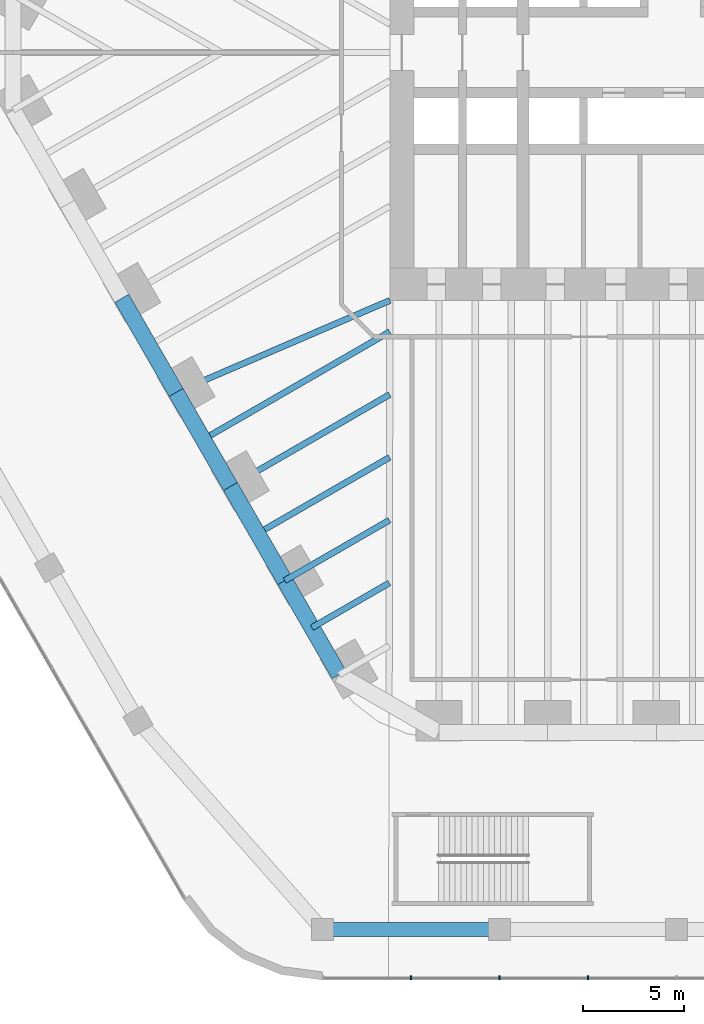
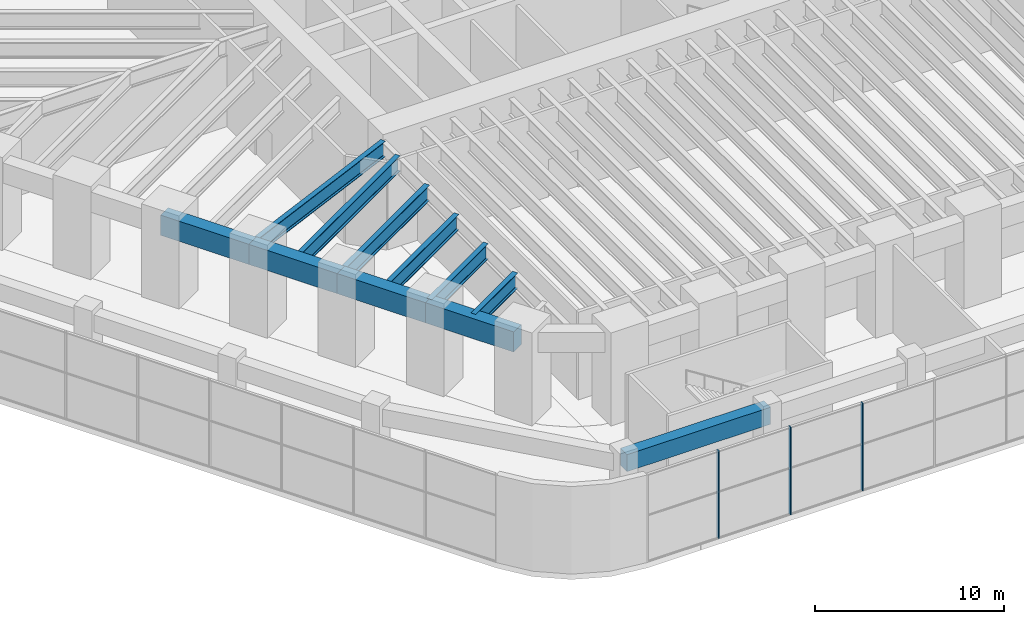
# One storey, part 4 of 31: 11 beams, 3 members, 1 element without a shape of its own.
"""IFC4 building model written with IfcOpenShell, lengths in metres."""

import ifcopenshell
import ifcopenshell.guid

model = None  # the IFC model being written
_history = None  # IfcOwnerHistory: only IFC2X3 demands one
_inside = {}  # id of a spatial element -> (the spatial element, [elements in it])
_under = {}  # id of a project, library or spatial element -> (it, [spatial elements below it])
_declared = {}  # id of a project -> (the project, [libraries it declares])
_typed = {}  # id of a type object -> (the type object, [elements of that type])
_made_of = {}  # id of a material, layer set ... -> (it, [elements and type objects made of it])


def new_model(schema):
    """Start an empty IFC model of exactly this schema.

    Asked for "IFC4X3", IfcOpenShell would pick the latest addendum, in which some entities
    have other attributes; the version numbers below select the first issue.
    IFC2X3 requires an IfcOwnerHistory on every rooted entity: one is made here for all.
    """
    global model, _history
    if schema == "IFC4X3":
        model = ifcopenshell.file(schema_version=(4, 3, 0, 0))
    else:
        model = ifcopenshell.file(schema=schema)
    _inside.clear()
    _under.clear()
    _declared.clear()
    _typed.clear()
    _made_of.clear()
    _history = None
    if model.schema == "IFC2X3":
        org = make("IfcOrganization", Name="unknown")
        user = make(
            "IfcPersonAndOrganization",
            ThePerson=make("IfcPerson", FamilyName="unknown"),
            TheOrganization=org,
        )
        app = make(
            "IfcApplication",
            ApplicationDeveloper=org,
            Version="unknown",
            ApplicationFullName="unknown",
            ApplicationIdentifier="unknown",
        )
        _history = make(
            "IfcOwnerHistory",
            OwningUser=user,
            OwningApplication=app,
            ChangeAction="ADDED",
            CreationDate=0,
        )
    return model


def make(cls, **values):
    """One entity of the class cls with the attributes given. An attribute that is None is left unset."""
    return model.create_entity(
        cls, **{name: value for name, value in values.items() if value is not None}
    )


def rooted(cls, **values):
    """An entity with a GlobalId (a new one), such as an element, a storey or a relation."""
    return make(cls, GlobalId=ifcopenshell.guid.new(), OwnerHistory=_history, **values)


def si_unit(unit_type, name, prefix=None):
    """IfcSIUnit, for example si_unit("LENGTHUNIT", "METRE", prefix="MILLI")."""
    return make("IfcSIUnit", UnitType=unit_type, Prefix=prefix, Name=name)


def assignment(units):
    """IfcUnitAssignment: the units of a project."""
    return None if units is None else make("IfcUnitAssignment", Units=units)


def point(xyz):
    """IfcCartesianPoint."""
    return None if xyz is None else make("IfcCartesianPoint", Coordinates=xyz)


def direction(xyz):
    """IfcDirection."""
    return None if xyz is None else make("IfcDirection", DirectionRatios=xyz)


def frame(location, z_axis=None, x_axis=None):
    """IfcAxis2Placement3D, a coordinate frame: its origin and axes. An axis left out is left unset."""
    return make(
        "IfcAxis2Placement3D",
        Location=point(location),
        Axis=direction(z_axis),
        RefDirection=direction(x_axis),
    )


def frame_2d(location, x_axis=None):
    """IfcAxis2Placement2D, a coordinate frame in the plane: its origin and x axis."""
    return make(
        "IfcAxis2Placement2D", Location=point(location), RefDirection=direction(x_axis)
    )


def origin():
    """The frame at (0, 0, 0) with its axes left unset."""
    return frame((0.0, 0.0, 0.0))


def origin_2d():
    """The frame at (0, 0) in the plane with its x axis left unset."""
    return frame_2d((0.0, 0.0))


def place(relative_to, where):
    """IfcLocalPlacement: puts the frame where relative to a parent placement (None: the world)."""
    return make(
        "IfcLocalPlacement", PlacementRelTo=relative_to, RelativePlacement=where
    )


def context(
    kind, dimensions, precision=None, world=None, true_north=None, identifier=None
):
    """IfcGeometricRepresentationContext, for example the 3D "Model" context."""
    return make(
        "IfcGeometricRepresentationContext",
        ContextIdentifier=identifier,
        ContextType=kind,
        CoordinateSpaceDimension=dimensions,
        Precision=precision,
        WorldCoordinateSystem=world,
        TrueNorth=true_north,
    )


def subcontext(parent, identifier, kind, view, scale=None):
    """IfcGeometricRepresentationSubContext, for example "Body" below "Model"."""
    return make(
        "IfcGeometricRepresentationSubContext",
        ContextIdentifier=identifier,
        ContextType=kind,
        ParentContext=parent,
        TargetScale=scale,
        TargetView=view,
    )


def project(units=None, contexts=None):
    """IfcProject with its units and contexts."""
    return rooted(
        "IfcProject",
        Name="project",
        RepresentationContexts=contexts,
        UnitsInContext=assignment(units),
    )


def spatial(cls, under=None, at=None, **own):
    """A site, building, storey or space (cls), placed at a placement, below another one or the project."""
    s = rooted(cls, ObjectPlacement=at, **own)
    if under is not None:
        _under.setdefault(under.id(), (under, []))[1].append(s)
    return s


def profile(cls, at=None, kind="AREA", **sizes):
    """A parametric profile (cls). Its sizes go by their IFC names, for example OverallWidth=200.0."""
    return make(cls, ProfileType=kind, Position=at, **sizes)


def rectangle(**sizes):
    """IfcRectangleProfileDef."""
    return profile("IfcRectangleProfileDef", **sizes)


def i_section(**sizes):
    """IfcIShapeProfileDef."""
    return profile("IfcIShapeProfileDef", **sizes)


def extrude(swept, where, along, depth):
    """IfcExtrudedAreaSolid: the profile swept, set in the frame where, extruded along a direction by depth."""
    return make(
        "IfcExtrudedAreaSolid",
        SweptArea=swept,
        Position=where,
        ExtrudedDirection=direction(along),
        Depth=depth,
    )


def shape(context_of_items, identifier, shape_type, items):
    """IfcShapeRepresentation: the items that make up one representation, for example the "Body"."""
    return make(
        "IfcShapeRepresentation",
        ContextOfItems=context_of_items,
        RepresentationIdentifier=identifier,
        RepresentationType=shape_type,
        Items=items,
    )


def material(Name=None, Category=None):
    """IfcMaterial."""
    return make("IfcMaterial", Name=Name, Category=Category)


def material_profile(
    of_material, cross_section, Name=None, Category=None, Priority=None
):
    """IfcMaterialProfile: a cross section and its material."""
    return make(
        "IfcMaterialProfile",
        Name=Name,
        Material=of_material,
        Profile=cross_section,
        Priority=Priority,
        Category=Category,
    )


def profile_set(profiles, Name=None, composite=None):
    """IfcMaterialProfileSet."""
    return make(
        "IfcMaterialProfileSet",
        Name=Name,
        MaterialProfiles=profiles,
        CompositeProfile=composite,
    )


def made_of(thing, what):
    """Note that an element or type object is made of a material, layer set ...; save() writes the relation."""
    if what is not None:
        _made_of.setdefault(what.id(), (what, []))[1].append(thing)
    return thing


def type_object(cls, material=None, **own):
    """A type object (cls), such as IfcWallType, which elements share."""
    return made_of(rooted(cls, **own), material)


def element(
    cls,
    number,
    at=None,
    inside=None,
    cuts=None,
    type_object=None,
    material=None,
    context=None,
    identifier="Body",
    shape_type=None,
    held_by="IfcProductDefinitionShape",
    body=None,
    shapes=None,
    **own,
):
    """One element of the class cls, such as IfcWall. Its Tag is "e" and its number.

    at: its placement. inside: the storey or other place that contains it. cuts: it is an
    opening in that element (IfcRelVoidsElement). A single representation is given by context,
    identifier, shape_type and body (its items); several are given by shapes. held_by: the class
    of the entity that holds the representations. save() writes the other relations.
    """
    e = rooted(cls, Tag="e%d" % number, ObjectPlacement=at, **own)
    if body is not None:
        shapes = [shape(context, identifier, shape_type, body)]
    if shapes is not None:
        e.Representation = make(held_by, Representations=shapes)
    if inside is not None:
        _inside.setdefault(inside.id(), (inside, []))[1].append(e)
    if cuts is not None:
        rooted(
            "IfcRelVoidsElement", RelatingBuildingElement=cuts, RelatedOpeningElement=e
        )
    if type_object is not None:
        _typed.setdefault(type_object.id(), (type_object, []))[1].append(e)
    return made_of(e, material)


def aggregate(whole, parts):
    """IfcRelAggregates: a whole, such as a stair, and the parts it consists of."""
    return rooted("IfcRelAggregates", RelatingObject=whole, RelatedObjects=parts)


def save(model, path):
    """Write the relations noted so far, then the file.

    IfcRelAggregates (storeys below a building ...), IfcRelContainedInSpatialStructure (elements
    in a storey), IfcRelDefinesByType, IfcRelAssociatesMaterial and IfcRelDeclares: one each for
    every whole, place, type object, material and project.
    """
    for whole, parts in _under.values():
        aggregate(whole, parts)
    for where, things in _inside.values():
        rooted(
            "IfcRelContainedInSpatialStructure",
            RelatedElements=things,
            RelatingStructure=where,
        )
    for kind, things in _typed.values():
        rooted("IfcRelDefinesByType", RelatedObjects=things, RelatingType=kind)
    for what, things in _made_of.values():
        rooted("IfcRelAssociatesMaterial", RelatedObjects=things, RelatingMaterial=what)
    for by, libraries in _declared.values():
        rooted("IfcRelDeclares", RelatingContext=by, RelatedDefinitions=libraries)
    model.write(path)


model = new_model("IFC4")

# Units and contexts
model_context = context("Model", 3, precision=1e-05, world=origin(), true_north=direction((0.0, 1.0)))
body_context = subcontext(model_context, "Body", "Model", "MODEL_VIEW")
ifc_project = project(units=[si_unit("LENGTHUNIT", "METRE"), si_unit("AREAUNIT", "SQUARE_METRE"), si_unit("VOLUMEUNIT", "CUBIC_METRE"), si_unit("PLANEANGLEUNIT", "RADIAN"), si_unit("MASSUNIT", "GRAM", prefix="KILO")], contexts=[model_context])

# Site, building, storey
site_placement = place(None, origin())
site = spatial("IfcSite", under=ifc_project, at=site_placement, CompositionType="ELEMENT")
building_placement = place(site_placement, origin())
building = spatial("IfcBuilding", under=site, at=building_placement, Name="Tarfa Lantern Tower", CompositionType="ELEMENT")
storey_placement = place(building_placement, frame((0.0, 0.0, 7.0)))
storey = spatial("IfcBuildingStorey", under=building, at=storey_placement, Name="L01", CompositionType="ELEMENT", Elevation=7.0)

# Curtain wall, members
ifc_material_1 = material(Name="Aluminium framed curtain wall", Category="aluminium")
curtain_wall_type = type_object("IfcCurtainWallType", Name="CW7 PODIUM GLAZING 5650", PredefinedType="USERDEFINED", material=ifc_material_1)
curtain_wall_placement = place(storey_placement, origin())
curtain_wall = element("IfcCurtainWall", 1, at=curtain_wall_placement, inside=storey, type_object=curtain_wall_type, Name="CW7 S L01", ObjectType="CURTAIN WALL", PredefinedType="USERDEFINED")
ifc_material_2 = material(Name="Aluminium mullion", Category="aluminium")
ifc_material_profile_1 = material_profile(ifc_material_2, rectangle(XDim=0.06494140625, YDim=0.199951171875, at=origin_2d()), Name="AL MULLION 65x200")
ifc_profile_set_1 = profile_set([ifc_material_profile_1], Name="Aluminium mullion")
member_type = type_object("IfcMemberType", Name="CWM1 MULLION 65x200", PredefinedType="MULLION", material=ifc_profile_set_1)
member_1_placement = place(storey_placement, frame((-17.551513671875, -45.89990234375, 0.0), z_axis=(0.0, 0.0, 1.0), x_axis=(1.0, 0.0, 0.0)))
member_1 = element("IfcMember", 2, at=member_1_placement, type_object=member_type, Name="CW7 mullion 2", PredefinedType="MULLION", context=body_context, shape_type="SweptSolid", body=[
    extrude(rectangle(XDim=0.06494140625, YDim=0.199951171875, at=origin_2d()), origin(), (0.0, 0.0, 1.0), 5.64990234375),
])
member_2_placement = place(storey_placement, frame((-13.16357421875, -45.89990234375, 0.0), z_axis=(0.0, 0.0, 1.0), x_axis=(1.0, 0.0, 0.0)))
member_2 = element("IfcMember", 3, at=member_2_placement, type_object=member_type, Name="CW7 mullion 3", PredefinedType="MULLION", context=body_context, shape_type="SweptSolid", body=[
    extrude(rectangle(XDim=0.06494140625, YDim=0.199951171875, at=origin_2d()), origin(), (0.0, 0.0, 1.0), 5.64990234375),
])
member_3_placement = place(storey_placement, frame((-8.775634765625, -45.89990234375, 0.0), z_axis=(0.0, 0.0, 1.0), x_axis=(1.0, 0.0, 0.0)))
member_3 = element("IfcMember", 4, at=member_3_placement, type_object=member_type, Name="CW7 mullion 4", PredefinedType="MULLION", context=body_context, shape_type="SweptSolid", body=[
    extrude(rectangle(XDim=0.06494140625, YDim=0.199951171875, at=origin_2d()), origin(), (0.0, 0.0, 1.0), 5.64990234375),
])
aggregate(curtain_wall, [member_1, member_2, member_3])

# Beams
ifc_material_3 = material(Name="Concrete C80/95", Category="concrete")
ifc_material_profile_2 = material_profile(ifc_material_3, rectangle(XDim=0.800048828125, YDim=1.300048828125, at=origin_2d()), Name="RC 800x1300")
ifc_profile_set_2 = profile_set([ifc_material_profile_2], Name="Concrete C80/95")
beam_type_1 = type_object("IfcBeamType", Name="EB1 RC 800x1300", PredefinedType="SPANDREL", material=ifc_profile_set_2)
beam_1_placement = place(storey_placement, frame((-31.896728515625, -12.193359375, 5.0), z_axis=(0.499998287579, -0.866026392449, 0.0), x_axis=(0.866026392449, 0.499998287579, 0.0)))
element("IfcBeam", 5, at=beam_1_placement, inside=storey, type_object=beam_type_1, Name="Edge beam SW2", PredefinedType="SPANDREL", context=body_context, shape_type="SweptSolid", body=[
    extrude(rectangle(XDim=0.800048828125, YDim=1.300048828125, at=origin_2d()), origin(), (0.0, 0.0, 1.0), 5.388671875),
])
beam_2_placement = place(storey_placement, frame((-29.202392578125, -16.860107421875, 5.0), z_axis=(0.500017906299, -0.866015065331, 0.0), x_axis=(0.866015065331, 0.500017906299, 0.0)))
element("IfcBeam", 6, at=beam_2_placement, inside=storey, type_object=beam_type_1, Name="Edge beam SW3", PredefinedType="SPANDREL", context=body_context, shape_type="SweptSolid", body=[
    extrude(rectangle(XDim=0.800048828125, YDim=1.300048828125, at=origin_2d()), origin(), (0.0, 0.0, 1.0), 5.388427734375),
])
for number, where, z_axis, x_axis, name in (
    (7, (-26.508056640625, -21.526611328125, 5.0), (0.499998287579, -0.866026392449, 0.0), (0.866026392449, 0.499998287579, 0.0), "Edge beam SW4"),
    (8, (-23.813720703125, -26.193359375, 5.0), (0.499998287579, -0.866026392449, 0.0), (0.866026392449, 0.499998287579, 0.0), "Edge beam SW5"),
):
    element("IfcBeam", number, at=place(storey_placement, frame(where, z_axis=z_axis, x_axis=x_axis)), inside=storey, type_object=beam_type_1, Name=name, PredefinedType="SPANDREL", context=body_context, shape_type="SweptSolid", body=[
        extrude(rectangle(XDim=0.800048828125, YDim=1.300048828125, at=origin_2d()), origin(), (0.0, 0.0, 1.0), 5.388671875),
    ])
ifc_material_profile_3 = material_profile(ifc_material_3, rectangle(XDim=0.699951171875, YDim=1.10009765625, at=origin_2d()), Name="RC 700x1100")
ifc_profile_set_3 = profile_set([ifc_material_profile_3], Name="Concrete C80/95")
beam_type_2 = type_object("IfcBeamType", Name="PB1 RC 700x1100", PredefinedType="BEAM", material=ifc_profile_set_3)
beam_3_placement = place(storey_placement, frame((-21.939208984375, -43.5, 5.10009765625), z_axis=(1.0, 0.0, 0.0), x_axis=(0.0, 1.0, 0.0)))
element("IfcBeam", 9, at=beam_3_placement, inside=storey, type_object=beam_type_2, Name="Podium ring beam S0", PredefinedType="BEAM", context=body_context, shape_type="SweptSolid", body=[
    extrude(rectangle(XDim=0.699951171875, YDim=1.10009765625, at=origin_2d()), origin(), (0.0, 0.0, 1.0), 8.775634765625),
])
ifc_material_4 = material(Name="Steel S460M", Category="steel")
ifc_material_profile_4 = material_profile(ifc_material_4, i_section(OverallWidth=0.302001953125, OverallDepth=1.008056640625, WebThickness=0.02099609375, FlangeThickness=0.0400390625, FilletRadius=0.030029296875, at=origin_2d()), Name="UB1016x305x349")
ifc_profile_set_4 = profile_set([ifc_material_profile_4], Name="Steel S460M")
beam_type_3 = type_object("IfcBeamType", Name="UB1016x305x349", PredefinedType="BEAM", material=ifc_profile_set_4)
beam_4_placement = place(storey_placement, frame((-29.202392578125, -16.860107421875, 5.14599609375), z_axis=(0.918635483867, 0.395106122175, 0.0), x_axis=(-0.395106122175, 0.918635483867, 0.0)))
element("IfcBeam", 10, at=beam_4_placement, inside=storey, type_object=beam_type_3, Name="Floor beam SW3", PredefinedType="BEAM", context=body_context, shape_type="SweptSolid", body=[
    extrude(i_section(OverallWidth=0.302001953125, OverallDepth=1.008056640625, WebThickness=0.02099609375, FlangeThickness=0.0400390625, FilletRadius=0.030029296875, at=origin_2d()), origin(), (0.0, 0.0, 1.0), 11.541259765625),
])
beam_5_placement = place(storey_placement, frame((-26.508056640625, -21.526611328125, 5.14599609375), z_axis=(0.866035355799, 0.49998276221, 0.0), x_axis=(-0.49998276221, 0.866035355799, 0.0)))
element("IfcBeam", 11, at=beam_5_placement, inside=storey, type_object=beam_type_3, Name="Floor beam SW4", PredefinedType="BEAM", context=body_context, shape_type="SweptSolid", body=[
    extrude(i_section(OverallWidth=0.302001953125, OverallDepth=1.008056640625, WebThickness=0.02099609375, FlangeThickness=0.0400390625, FilletRadius=0.030029296875, at=origin_2d()), origin(), (0.0, 0.0, 1.0), 9.119873046875),
])
beam_6_placement = place(storey_placement, frame((-23.813720703125, -26.193359375, 5.14599609375), z_axis=(0.866015997389, 0.500016292001, 0.0), x_axis=(-0.500016292001, 0.866015997389, 0.0)))
element("IfcBeam", 12, at=beam_6_placement, inside=storey, type_object=beam_type_3, Name="Floor beam SW5", PredefinedType="BEAM", context=body_context, shape_type="SweptSolid", body=[
    extrude(i_section(OverallWidth=0.302001953125, OverallDepth=1.008056640625, WebThickness=0.02099609375, FlangeThickness=0.0400390625, FilletRadius=0.030029296875, at=origin_2d()), origin(), (0.0, 0.0, 1.0), 5.993408203125),
])
beam_7_placement = place(storey_placement, frame((-27.855224609375, -19.193359375, 5.14599609375), z_axis=(0.866028034017, 0.499995444275, 0.0), x_axis=(-0.499995444275, 0.866028034017, 0.0)))
element("IfcBeam", 13, at=beam_7_placement, inside=storey, type_object=beam_type_3, Name="Floor beam SW3M", PredefinedType="BEAM", context=body_context, shape_type="SweptSolid", body=[
    extrude(i_section(OverallWidth=0.302001953125, OverallDepth=1.008056640625, WebThickness=0.02099609375, FlangeThickness=0.0400390625, FilletRadius=0.030029296875, at=origin_2d()), origin(), (0.0, 0.0, 1.0), 10.68310546875),
])
beam_8_placement = place(storey_placement, frame((-25.160888671875, -23.860107421875, 5.14599609375), z_axis=(0.866009650502, 0.500027284493, 0.0), x_axis=(-0.500027284493, 0.866009650502, 0.0)))
element("IfcBeam", 14, at=beam_8_placement, inside=storey, type_object=beam_type_3, Name="Floor beam SW4M", PredefinedType="BEAM", context=body_context, shape_type="SweptSolid", body=[
    extrude(i_section(OverallWidth=0.302001953125, OverallDepth=1.008056640625, WebThickness=0.02099609375, FlangeThickness=0.0400390625, FilletRadius=0.030029296875, at=origin_2d()), origin(), (0.0, 0.0, 1.0), 7.556640625),
])
beam_9_placement = place(storey_placement, frame((-22.466552734375, -28.526611328125, 5.14599609375), z_axis=(0.866026823135, 0.499997541604, 0.0), x_axis=(-0.499997541604, 0.866026823135, 0.0)))
element("IfcBeam", 15, at=beam_9_placement, inside=storey, type_object=beam_type_3, Name="Floor beam SW5M", PredefinedType="BEAM", context=body_context, shape_type="SweptSolid", body=[
    extrude(i_section(OverallWidth=0.302001953125, OverallDepth=1.008056640625, WebThickness=0.02099609375, FlangeThickness=0.0400390625, FilletRadius=0.030029296875, at=origin_2d()), origin(), (0.0, 0.0, 1.0), 4.43017578125),
])

save(model, "model.ifc")
